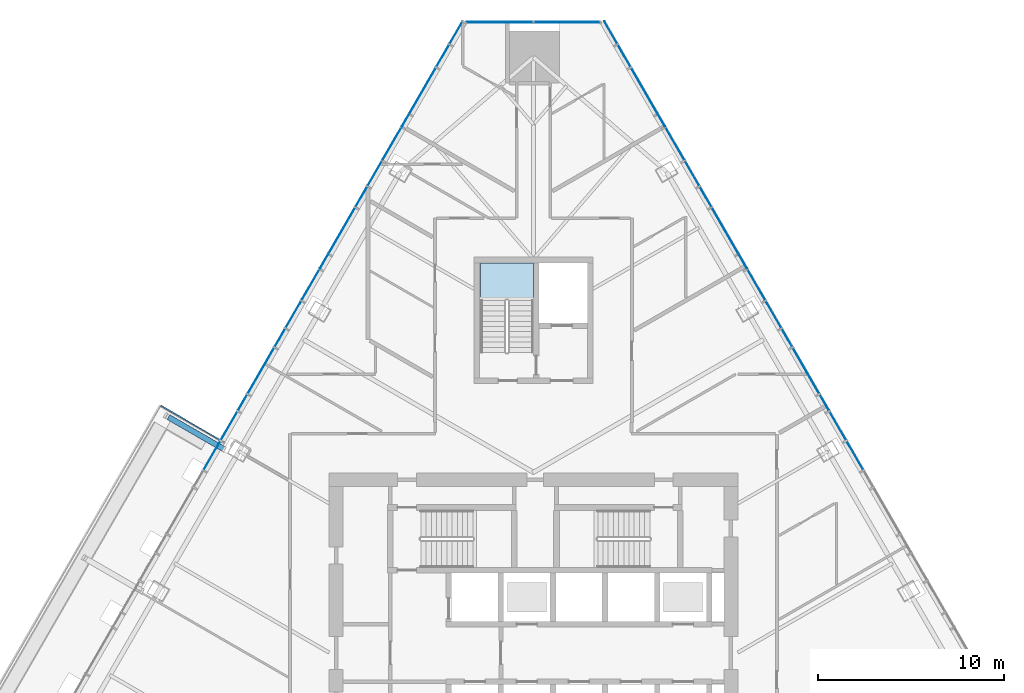
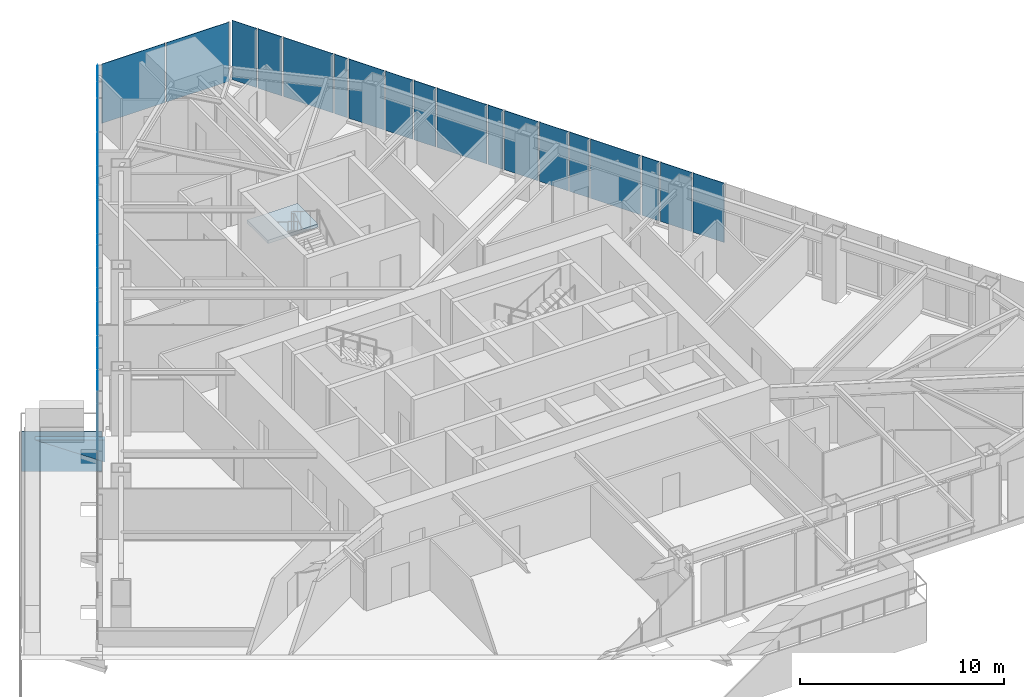
# One storey, part 14 of 23: 37 plates, 1 slab, 4 elements without a shape of their own.
"""IFC4 building model written with IfcOpenShell, lengths in metres."""

from ifc_helpers import new_model, si_unit, direction, frame, origin, place, context, subcontext, project, spatial, polyline, outline, extrude, material, layer, layer_set, type_object, element, aggregate, save


model = new_model("IFC4")

# Units and contexts
model_context = context("Model", 3, precision=1e-05, world=origin(), true_north=direction((0.0, 1.0)))
body_context = subcontext(model_context, "Body", "Model", "MODEL_VIEW")
ifc_project = project(units=[si_unit("LENGTHUNIT", "METRE"), si_unit("AREAUNIT", "SQUARE_METRE"), si_unit("VOLUMEUNIT", "CUBIC_METRE"), si_unit("PLANEANGLEUNIT", "RADIAN"), si_unit("MASSUNIT", "GRAM", prefix="KILO")], contexts=[model_context])

# Site, building, storey
site_placement = place(None, origin())
site = spatial("IfcSite", under=ifc_project, at=site_placement, CompositionType="ELEMENT")
building_placement = place(site_placement, origin())
building = spatial("IfcBuilding", under=site, at=building_placement, Name="Firuza Gate Tower and Library", CompositionType="ELEMENT")
storey_placement = place(building_placement, frame((0.0, 0.0, 190.89990234375)))
storey = spatial("IfcBuildingStorey", under=building, at=storey_placement, Name="L44", CompositionType="ELEMENT", Elevation=190.89990234375)

# Curtain wall, plates
ifc_material_1 = material(Name="Aluminium 6063-T6", Category="aluminium")
ifc_layer_1 = layer(ifc_material_1, 0.14990234375)
ifc_layer_set_1 = layer_set([ifc_layer_1], Name="Corner curtain wall, chamfers")
curtain_wall_type_1 = type_object("IfcCurtainWallType", Name="Corner curtain wall, chamfers", PredefinedType="NOTDEFINED", material=ifc_layer_set_1)
placement = place(storey_placement, origin())
curtain_wall_1 = element("IfcCurtainWall", 1, at=placement, inside=storey, type_object=curtain_wall_type_1, Name="CW4 L44 N corner", PredefinedType="NOTDEFINED")
ifc_material_2 = material(Name="Fritted glass", Category="glass")
ifc_layer_2 = layer(ifc_material_2, 0.030029296875)
ifc_layer_set_2 = layer_set([ifc_layer_2], Name="Fritted glass unit, corners")
plate_type_1 = type_object("IfcPlateType", Name="Fritted glass unit, corners", PredefinedType="CURTAIN_PANEL", material=ifc_layer_set_2)
plate_1_placement = place(storey_placement, frame((78.603271484375, 107.2568359375, 0.150146484375), z_axis=(0.0, 1.0, 0.0), x_axis=(-1.0, 0.0, 0.0)))
plate_1 = element("IfcPlate", 2, at=plate_1_placement, type_object=plate_type_1, Name="Glass unit", PredefinedType="CURTAIN_PANEL", context=body_context, shape_type="SweptSolid", body=[
    extrude(outline(polyline([(0.0, 0.0), (3.563232421875, 0.0), (3.563232421875, 3.550048828125), (0.0, 3.550048828125), (0.0, 0.0)])), origin(), (0.0, 0.0, -1.0), 0.030029296875),
])
plate_2_placement = place(storey_placement, frame((74.9599609375, 107.2568359375, 0.150146484375), z_axis=(0.0, 1.0, 0.0), x_axis=(-1.0, 0.0, 0.0)))
plate_2 = element("IfcPlate", 3, at=plate_2_placement, type_object=plate_type_1, Name="Glass unit", PredefinedType="CURTAIN_PANEL", context=body_context, shape_type="SweptSolid", body=[
    extrude(outline(polyline([(0.0, 0.0), (3.563232421875, 0.0), (3.563232421875, 3.550048828125), (0.0, 3.550048828125), (0.0, 0.0)])), origin(), (0.0, 0.0, -1.0), 0.030029296875),
])
aggregate(curtain_wall_1, [plate_1, plate_2])

ifc_material_3 = material(Name="Aluminium 6063-T6", Category="aluminium")
ifc_layer_3 = layer(ifc_material_3, 0.14990234375)
ifc_layer_set_3 = layer_set([ifc_layer_3], Name="Unitised curtain wall, hotel")
curtain_wall_type_2 = type_object("IfcCurtainWallType", Name="Unitised curtain wall, hotel", PredefinedType="NOTDEFINED", material=ifc_layer_set_3)
curtain_wall_2 = element("IfcCurtainWall", 4, at=placement, inside=storey, type_object=curtain_wall_type_2, Name="CW2 L44 E face", PredefinedType="NOTDEFINED")
ifc_material_4 = material(Name="Fritted glass", Category="glass")
ifc_layer_4 = layer(ifc_material_4, 0.030029296875)
ifc_layer_set_4 = layer_set([ifc_layer_4], Name="Fritted glass unit, hotel")
plate_type_2 = type_object("IfcPlateType", Name="Fritted glass unit, hotel", PredefinedType="CURTAIN_PANEL", material=ifc_layer_set_4)
plate_3_placement = place(storey_placement, frame((92.755615234375, 83.16845703125, 0.150146484375), z_axis=(0.866054209102, 0.499950104407, 0.0), x_axis=(-0.499950104407, 0.866054209102, 0.0)))
plate_3 = element("IfcPlate", 5, at=plate_3_placement, type_object=plate_type_2, Name="Glass unit", PredefinedType="CURTAIN_PANEL", context=body_context, shape_type="SweptSolid", body=[
    extrude(outline(polyline([(0.0, 0.0), (1.7638478914721194, 0.0), (1.7638478914721194, 3.550048828125001), (0.0, 3.550048828125001), (0.0, 0.0)])), origin(), (0.0, 0.0, -1.0), 0.030029296875),
])
plate_4_placement = place(storey_placement, frame((91.833740234375, 84.76513671875, 0.150146484375), z_axis=(0.866054209102, 0.499950104407, 0.0), x_axis=(-0.499950104407, 0.866054209102, 0.0)))
plate_4 = element("IfcPlate", 6, at=plate_4_placement, type_object=plate_type_2, Name="Glass unit", PredefinedType="CURTAIN_PANEL", context=body_context, shape_type="SweptSolid", body=[
    extrude(outline(polyline([(0.0, 0.0), (1.7638478914721194, 0.0), (1.7638478914721194, 3.550048828125001), (0.0, 3.550048828125001), (0.0, 0.0)])), origin(), (0.0, 0.0, -1.0), 0.030029296875),
])
plate_5_placement = place(storey_placement, frame((88.34375, 90.810302734375, 0.150146484375), z_axis=(0.86598972202, 0.500061797536, 0.0), x_axis=(-0.500061797536, 0.86598972202, 0.0)))
plate_5 = element("IfcPlate", 7, at=plate_5_placement, type_object=plate_type_2, Name="Glass unit", PredefinedType="CURTAIN_PANEL", context=body_context, shape_type="SweptSolid", body=[
    extrude(outline(polyline([(0.0, 0.0), (1.6399340309854518, 0.0), (1.6399340309854518, 3.550048828125), (0.0, 3.550048828125), (0.0, 0.0)])), origin(), (0.0, 0.0, -1.0), 0.030029296875),
])
plate_6_placement = place(storey_placement, frame((87.483642578125, 92.2998046875, 0.150146484375), z_axis=(0.866045570776, 0.499965068118, 0.0), x_axis=(-0.499965068118, 0.866045570776, 0.0)))
plate_6 = element("IfcPlate", 8, at=plate_6_placement, type_object=plate_type_2, Name="Glass unit", PredefinedType="CURTAIN_PANEL", context=body_context, shape_type="SweptSolid", body=[
    extrude(outline(polyline([(0.0, 0.0), (1.8873388878479969, 0.0), (1.8873388878479969, 3.550048828125), (0.0, 3.550048828125), (0.0, 0.0)])), origin(), (0.0, 0.0, -1.0), 0.030029296875),
])
plate_7_placement = place(storey_placement, frame((83.931884765625, 98.451904296875, 0.150146484375), z_axis=(0.865995223251, 0.500052270574, 0.0), x_axis=(-0.500052270574, 0.865995223251, 0.0)))
plate_7 = element("IfcPlate", 9, at=plate_7_placement, type_object=plate_type_2, Name="Glass unit", PredefinedType="CURTAIN_PANEL", context=body_context, shape_type="SweptSolid", body=[
    extrude(outline(polyline([(0.0, 0.0), (1.5164430318043731, 0.0), (1.5164430318043731, 3.550048828125), (0.0, 3.550048828125), (0.0, 0.0)])), origin(), (0.0, 0.0, -1.0), 0.030029296875),
])
plate_8_placement = place(storey_placement, frame((83.133544921875, 99.83447265625, 0.150146484375), z_axis=(0.866037993248, 0.499978193775, 0.0), x_axis=(-0.499978193775, 0.866037993248, 0.0)))
plate_8 = element("IfcPlate", 10, at=plate_8_placement, type_object=plate_type_2, Name="Glass unit", PredefinedType="CURTAIN_PANEL", context=body_context, shape_type="SweptSolid", body=[
    extrude(outline(polyline([(0.0, 0.0), (2.0108298847181034, 0.0), (2.0108298847181034, 3.550048828125), (0.0, 3.550048828125), (0.0, 0.0)])), origin(), (0.0, 0.0, -1.0), 0.030029296875),
])
plate_9_placement = place(storey_placement, frame((79.52001953125, 106.093505859375, 0.150146484375), z_axis=(0.866001699761, 0.500041054325, 0.0), x_axis=(-0.500041054325, 0.866001699761, 0.0)))
plate_9 = element("IfcPlate", 11, at=plate_9_placement, type_object=plate_type_2, Name="Glass unit", PredefinedType="CURTAIN_PANEL", context=body_context, shape_type="SweptSolid", body=[
    extrude(outline(polyline([(0.0, 0.0), (1.3929520328393656, 0.0), (1.3929520328393656, 3.550048828125), (0.0, 3.550048828125), (0.0, 0.0)])), origin(), (0.0, 0.0, -1.0), 0.030029296875),
])

curtain_wall_3 = element("IfcCurtainWall", 12, at=placement, inside=storey, type_object=curtain_wall_type_2, Name="CW2 L44 W face", PredefinedType="NOTDEFINED")
plate_10_placement = place(storey_placement, frame((71.176513671875, 107.2998046875, 0.150146484375), z_axis=(-0.866001699761, 0.500041054325, 0.0), x_axis=(-0.500041054325, -0.866001699761, 0.0)))
plate_10 = element("IfcPlate", 13, at=plate_10_placement, type_object=plate_type_2, Name="Glass unit", PredefinedType="CURTAIN_PANEL", context=body_context, shape_type="SweptSolid", body=[
    extrude(outline(polyline([(0.0, 0.0), (1.3929520328393656, 0.0), (1.3929520328393656, 3.550048828125), (0.0, 3.550048828125), (0.0, 0.0)])), origin(), (0.0, 0.0, -1.0), 0.030029296875),
])
plate_11_placement = place(storey_placement, frame((67.871826171875, 101.575927734375, 0.150146484375), z_axis=(-0.866037993248, 0.499978193775, 0.0), x_axis=(-0.499978193775, -0.866037993248, 0.0)))
plate_11 = element("IfcPlate", 14, at=plate_11_placement, type_object=plate_type_2, Name="Glass unit", PredefinedType="CURTAIN_PANEL", context=body_context, shape_type="SweptSolid", body=[
    extrude(outline(polyline([(0.0, 0.0), (2.0108298847181034, 0.0), (2.0108298847181034, 1.73486328125), (0.0, 1.73486328125), (0.0, 0.0)])), origin(), (0.0, 0.0, -1.0), 0.030029296875),
])
plate_12_placement = place(storey_placement, frame((68.2763671875, 102.276611328125, 1.965087890625), z_axis=(-0.866034203951, 0.499984757355, 0.0), x_axis=(-0.499984757355, -0.866034203951, 0.0)))
plate_12 = element("IfcPlate", 15, at=plate_12_placement, type_object=plate_type_2, Name="Glass unit", PredefinedType="CURTAIN_PANEL", context=body_context, shape_type="SweptSolid", body=[
    extrude(outline(polyline([(0.0, 0.0), (2.8199101845324175, 0.0), (2.8199101845324175, 1.735107421875), (0.0, 1.735107421875), (0.0, 0.0)])), origin(), (0.0, 0.0, -1.0), 0.030029296875),
])
plate_13_placement = place(storey_placement, frame((66.826416015625, 99.76513671875, 0.150146484375), z_axis=(-0.865995223251, 0.500052270574, 0.0), x_axis=(-0.500052270574, -0.865995223251, 0.0)))
plate_13 = element("IfcPlate", 16, at=plate_13_placement, type_object=plate_type_2, Name="Glass unit", PredefinedType="CURTAIN_PANEL", context=body_context, shape_type="SweptSolid", body=[
    extrude(outline(polyline([(0.0, 0.0), (1.5164430318043731, 0.0), (1.5164430318043731, 3.550048828125), (0.0, 3.550048828125), (0.0, 0.0)])), origin(), (0.0, 0.0, -1.0), 0.030029296875),
])
plate_14_placement = place(storey_placement, frame((63.4599609375, 93.934326171875, 0.150146484375), z_axis=(-0.866045570776, 0.499965068118, 0.0), x_axis=(-0.499965068118, -0.866045570776, 0.0)))
plate_14 = element("IfcPlate", 17, at=plate_14_placement, type_object=plate_type_2, Name="Glass unit", PredefinedType="CURTAIN_PANEL", context=body_context, shape_type="SweptSolid", body=[
    extrude(outline(polyline([(0.0, 0.0), (1.8873388878479969, 0.0), (1.8873388878479969, 3.550048828125), (0.0, 3.550048828125), (0.0, 0.0)])), origin(), (0.0, 0.0, -1.0), 0.030029296875),
])
plate_15_placement = place(storey_placement, frame((62.476318359375, 92.23046875, 0.150146484375), z_axis=(-0.86598972202, 0.500061797536, 0.0), x_axis=(-0.500061797536, -0.86598972202, 0.0)))
plate_15 = element("IfcPlate", 18, at=plate_15_placement, type_object=plate_type_2, Name="Glass unit", PredefinedType="CURTAIN_PANEL", context=body_context, shape_type="SweptSolid", body=[
    extrude(outline(polyline([(0.0, 0.0), (1.6399340309854518, 0.0), (1.6399340309854518, 3.550048828125), (0.0, 3.550048828125), (0.0, 0.0)])), origin(), (0.0, 0.0, -1.0), 0.030029296875),
])
plate_16_placement = place(storey_placement, frame((59.048095703125, 86.292724609375, 0.150146484375), z_axis=(-0.866054209102, 0.499950104407, 0.0), x_axis=(-0.499950104407, -0.866054209102, 0.0)))
plate_16 = element("IfcPlate", 19, at=plate_16_placement, type_object=plate_type_2, Name="Glass unit", PredefinedType="CURTAIN_PANEL", context=body_context, shape_type="SweptSolid", body=[
    extrude(outline(polyline([(0.0, 0.0), (1.7638478914721194, 0.0), (1.7638478914721194, 3.550048828125001), (0.0, 3.550048828125001), (0.0, 0.0)])), origin(), (0.0, 0.0, -1.0), 0.030029296875),
])
plate_17_placement = place(storey_placement, frame((58.126220703125, 84.696044921875, 0.150146484375), z_axis=(-0.866054209102, 0.499950104407, 0.0), x_axis=(-0.499950104407, -0.866054209102, 0.0)))
plate_17 = element("IfcPlate", 20, at=plate_17_placement, type_object=plate_type_2, Name="Glass unit", PredefinedType="CURTAIN_PANEL", context=body_context, shape_type="SweptSolid", body=[
    extrude(outline(polyline([(0.0, 0.0), (1.7638478914721194, 0.0), (1.7638478914721194, 3.550048828125001), (0.0, 3.550048828125001), (0.0, 0.0)])), origin(), (0.0, 0.0, -1.0), 0.030029296875),
])

# Plate
ifc_material_5 = material(Name="Glazed ceramic tile")
ifc_layer_5 = layer(ifc_material_5, 0.030029296875)
ifc_layer_set_5 = layer_set([ifc_layer_5], Name="Opaque ceramic panel, hotel")
plate_type_3 = type_object("IfcPlateType", Name="Opaque ceramic panel, hotel", PredefinedType="CURTAIN_PANEL", material=ifc_layer_set_5)
plate_18_placement = place(storey_placement, frame((90.912109375, 86.36181640625, 0.150146484375), z_axis=(0.866019052629, 0.500011000363, 0.0), x_axis=(-0.500011000363, 0.866019052629, 0.0)))
plate_18 = element("IfcPlate", 21, at=plate_18_placement, type_object=plate_type_3, Name="Opaque ceramic panel", PredefinedType="CURTAIN_PANEL", context=body_context, shape_type="SweptSolid", body=[
    extrude(outline(polyline([(0.0, 0.0), (0.9765410153886668, 0.0), (0.9765410153886668, 3.550048828125), (0.0, 3.550048828125), (0.0, 0.0)])), origin(), (0.0, 0.0, -1.0), 0.030029296875),
])

plate_19_placement = place(storey_placement, frame((90.3837890625, 87.27685546875, 0.150146484375), z_axis=(0.866034203951, 0.499984757355, 0.0), x_axis=(-0.499984757355, 0.866034203951, 0.0)))
plate_19 = element("IfcPlate", 22, at=plate_19_placement, type_object=plate_type_3, Name="Opaque ceramic panel", PredefinedType="CURTAIN_PANEL", context=body_context, shape_type="SweptSolid", body=[
    extrude(outline(polyline([(0.0, 0.0), (2.8199101845324175, 0.0), (2.8199101845324175, 3.550048828125001), (0.0, 3.550048828125001), (0.0, 0.0)])), origin(), (0.0, 0.0, -1.0), 0.030029296875),
])

plate_20_placement = place(storey_placement, frame((88.933837890625, 89.788330078125, 0.150146484375), z_axis=(0.866008176907, 0.50002983664, 0.0), x_axis=(-0.50002983664, 0.866008176907, 0.0)))
plate_20 = element("IfcPlate", 23, at=plate_20_placement, type_object=plate_type_3, Name="Opaque ceramic panel", PredefinedType="CURTAIN_PANEL", context=body_context, shape_type="SweptSolid", body=[
    extrude(outline(polyline([(0.0, 0.0), (1.1000320137307154, 0.0), (1.1000320137307154, 3.550048828125), (0.0, 3.550048828125), (0.0, 0.0)])), origin(), (0.0, 0.0, -1.0), 0.030029296875),
])

plate_21_placement = place(storey_placement, frame((86.5, 94.003662109375, 0.150146484375), z_axis=(0.866085471654, 0.499895944962, 0.0), x_axis=(-0.499895944962, 0.866085471654, 0.0)))
plate_21 = element("IfcPlate", 24, at=plate_21_placement, type_object=plate_type_3, Name="Opaque ceramic panel", PredefinedType="CURTAIN_PANEL", context=body_context, shape_type="SweptSolid", body=[
    extrude(outline(polyline([(0.0, 0.0), (0.8527165214008132, 0.0), (0.8527165214008132, 3.550048828125), (0.0, 3.550048828125), (0.0, 0.0)])), origin(), (0.0, 0.0, -1.0), 0.030029296875),
])

plate_22_placement = place(storey_placement, frame((86.03369140625, 94.811279296875, 0.150146484375), z_axis=(0.866055844559, 0.499947271324, 0.0), x_axis=(-0.499947271324, 0.866055844559, 0.0)))
plate_22 = element("IfcPlate", 25, at=plate_22_placement, type_object=plate_type_3, Name="Opaque ceramic panel", PredefinedType="CURTAIN_PANEL", context=body_context, shape_type="SweptSolid", body=[
    extrude(outline(polyline([(0.0, 0.0), (2.820121621306016, 0.0), (2.820121621306016, 3.550048828125), (0.0, 3.550048828125), (0.0, 0.0)])), origin(), (0.0, 0.0, -1.0), 0.030029296875),
])

plate_23_placement = place(storey_placement, frame((84.583740234375, 97.322998046875, 0.150146484375), z_axis=(0.865999496279, 0.500044870432, 0.0), x_axis=(-0.500044870432, 0.865999496279, 0.0)))
plate_23 = element("IfcPlate", 26, at=plate_23_placement, type_object=plate_type_3, Name="Opaque ceramic panel", PredefinedType="CURTAIN_PANEL", context=body_context, shape_type="SweptSolid", body=[
    extrude(outline(polyline([(0.0, 0.0), (1.2235230124881236, 0.0), (1.2235230124881236, 3.550048828125001), (0.0, 3.550048828125001), (0.0, 0.0)])), origin(), (0.0, 0.0, -1.0), 0.030029296875),
])

plate_24_placement = place(storey_placement, frame((82.088134765625, 101.645263671875, 0.150146484375), z_axis=(0.866029434536, 0.499993018469, 0.0), x_axis=(-0.499993018469, 0.866029434536, 0.0)))
plate_24 = element("IfcPlate", 27, at=plate_24_placement, type_object=plate_type_3, Name="Opaque ceramic panel", PredefinedType="CURTAIN_PANEL", context=body_context, shape_type="SweptSolid", body=[
    extrude(outline(polyline([(0.0, 0.0), (0.7290140855184541, 0.0), (0.7290140855184541, 3.550048828125), (0.0, 3.550048828125), (0.0, 0.0)])), origin(), (0.0, 0.0, -1.0), 0.030029296875),
])

plate_25_placement = place(storey_placement, frame((81.68359375, 102.345947265625, 0.150146484375), z_axis=(0.86601836006, 0.500012199891, 0.0), x_axis=(-0.500012199891, 0.86601836006, 0.0)))
plate_25 = element("IfcPlate", 28, at=plate_25_placement, type_object=plate_type_3, Name="Opaque ceramic panel", PredefinedType="CURTAIN_PANEL", context=body_context, shape_type="SweptSolid", body=[
    extrude(outline(polyline([(0.0, 0.0), (2.8202436866713265, 0.0), (2.8202436866713265, 3.550048828125), (0.0, 3.550048828125), (0.0, 0.0)])), origin(), (0.0, 0.0, -1.0), 0.030029296875),
])

plate_26_placement = place(storey_placement, frame((80.233642578125, 104.857421875, 0.150146484375), z_axis=(0.865959247497, 0.500114568548, 0.0), x_axis=(-0.500114568548, 0.865959247497, 0.0)))
plate_26 = element("IfcPlate", 29, at=plate_26_placement, type_object=plate_type_3, Name="Opaque ceramic panel", PredefinedType="CURTAIN_PANEL", context=body_context, shape_type="SweptSolid", body=[
    extrude(outline(polyline([(0.0, 0.0), (1.347347522700674, 0.0), (1.347347522700674, 3.550048828125), (0.0, 3.550048828125), (0.0, 0.0)])), origin(), (0.0, 0.0, -1.0), 0.030029296875),
])

aggregate(curtain_wall_2, [plate_3, plate_4, plate_18, plate_19, plate_20, plate_5, plate_6, plate_21, plate_22, plate_23, plate_7, plate_8, plate_24, plate_25, plate_26, plate_9])

plate_27_placement = place(storey_placement, frame((70.440185546875, 106.024169921875, 0.150146484375), z_axis=(-0.865959247497, 0.500114568548, 0.0), x_axis=(-0.500114568548, -0.865959247497, 0.0)))
plate_27 = element("IfcPlate", 30, at=plate_27_placement, type_object=plate_type_3, Name="Opaque ceramic panel", PredefinedType="CURTAIN_PANEL", context=body_context, shape_type="SweptSolid", body=[
    extrude(outline(polyline([(0.0, 0.0), (1.347347522700674, 0.0), (1.347347522700674, 3.550048828125), (0.0, 3.550048828125), (0.0, 0.0)])), origin(), (0.0, 0.0, -1.0), 0.030029296875),
])

plate_28_placement = place(storey_placement, frame((69.7265625, 104.788330078125, 0.150146484375), z_axis=(-0.86601836006, 0.500012199891, 0.0), x_axis=(-0.500012199891, -0.86601836006, 0.0)))
plate_28 = element("IfcPlate", 31, at=plate_28_placement, type_object=plate_type_3, Name="Opaque ceramic panel", PredefinedType="CURTAIN_PANEL", context=body_context, shape_type="SweptSolid", body=[
    extrude(outline(polyline([(0.0, 0.0), (2.8202436866713265, 0.0), (2.8202436866713265, 3.550048828125), (0.0, 3.550048828125), (0.0, 0.0)])), origin(), (0.0, 0.0, -1.0), 0.030029296875),
])

plate_29_placement = place(storey_placement, frame((68.2763671875, 102.276611328125, 0.150146484375), z_axis=(-0.866029434536, 0.499993018469, 0.0), x_axis=(-0.499993018469, -0.866029434536, 0.0)))
plate_29 = element("IfcPlate", 32, at=plate_29_placement, type_object=plate_type_3, Name="Opaque ceramic panel", PredefinedType="CURTAIN_PANEL", context=body_context, shape_type="SweptSolid", body=[
    extrude(outline(polyline([(0.0, 0.0), (0.7290140855184541, 0.0), (0.7290140855184541, 1.73486328125), (0.0, 1.73486328125), (0.0, 0.0)])), origin(), (0.0, 0.0, -1.0), 0.030029296875),
])

plate_30_placement = place(storey_placement, frame((66.028076171875, 98.382568359375, 0.150146484375), z_axis=(-0.865999496279, 0.500044870432, 0.0), x_axis=(-0.500044870432, -0.865999496279, 0.0)))
plate_30 = element("IfcPlate", 33, at=plate_30_placement, type_object=plate_type_3, Name="Opaque ceramic panel", PredefinedType="CURTAIN_PANEL", context=body_context, shape_type="SweptSolid", body=[
    extrude(outline(polyline([(0.0, 0.0), (1.2235230124881236, 0.0), (1.2235230124881236, 3.550048828125001), (0.0, 3.550048828125001), (0.0, 0.0)])), origin(), (0.0, 0.0, -1.0), 0.030029296875),
])

plate_31_placement = place(storey_placement, frame((65.376220703125, 97.253662109375, 0.150146484375), z_axis=(-0.866055844559, 0.499947271324, 0.0), x_axis=(-0.499947271324, -0.866055844559, 0.0)))
plate_31 = element("IfcPlate", 34, at=plate_31_placement, type_object=plate_type_3, Name="Opaque ceramic panel", PredefinedType="CURTAIN_PANEL", context=body_context, shape_type="SweptSolid", body=[
    extrude(outline(polyline([(0.0, 0.0), (2.820121621306016, 0.0), (2.820121621306016, 3.550048828125), (0.0, 3.550048828125), (0.0, 0.0)])), origin(), (0.0, 0.0, -1.0), 0.030029296875),
])

plate_32_placement = place(storey_placement, frame((63.92626953125, 94.7421875, 0.150146484375), z_axis=(-0.866085471654, 0.499895944962, 0.0), x_axis=(-0.499895944962, -0.866085471654, 0.0)))
plate_32 = element("IfcPlate", 35, at=plate_32_placement, type_object=plate_type_3, Name="Opaque ceramic panel", PredefinedType="CURTAIN_PANEL", context=body_context, shape_type="SweptSolid", body=[
    extrude(outline(polyline([(0.0, 0.0), (0.8527165214008132, 0.0), (0.8527165214008132, 3.550048828125), (0.0, 3.550048828125), (0.0, 0.0)])), origin(), (0.0, 0.0, -1.0), 0.030029296875),
])

plate_33_placement = place(storey_placement, frame((61.6162109375, 90.740966796875, 0.150146484375), z_axis=(-0.866008176907, 0.50002983664, 0.0), x_axis=(-0.50002983664, -0.866008176907, 0.0)))
plate_33 = element("IfcPlate", 36, at=plate_33_placement, type_object=plate_type_3, Name="Opaque ceramic panel", PredefinedType="CURTAIN_PANEL", context=body_context, shape_type="SweptSolid", body=[
    extrude(outline(polyline([(0.0, 0.0), (1.1000320137307154, 0.0), (1.1000320137307154, 3.550048828125), (0.0, 3.550048828125), (0.0, 0.0)])), origin(), (0.0, 0.0, -1.0), 0.030029296875),
])

plate_34_placement = place(storey_placement, frame((61.026123046875, 89.718994140625, 0.150146484375), z_axis=(-0.866034203951, 0.499984757355, 0.0), x_axis=(-0.499984757355, -0.866034203951, 0.0)))
plate_34 = element("IfcPlate", 37, at=plate_34_placement, type_object=plate_type_3, Name="Opaque ceramic panel", PredefinedType="CURTAIN_PANEL", context=body_context, shape_type="SweptSolid", body=[
    extrude(outline(polyline([(0.0, 0.0), (2.8199101845324175, 0.0), (2.8199101845324175, 3.550048828125001), (0.0, 3.550048828125001), (0.0, 0.0)])), origin(), (0.0, 0.0, -1.0), 0.030029296875),
])

plate_35_placement = place(storey_placement, frame((59.576171875, 87.20751953125, 0.150146484375), z_axis=(-0.866019052629, 0.500011000363, 0.0), x_axis=(-0.500011000363, -0.866019052629, 0.0)))
plate_35 = element("IfcPlate", 38, at=plate_35_placement, type_object=plate_type_3, Name="Opaque ceramic panel", PredefinedType="CURTAIN_PANEL", context=body_context, shape_type="SweptSolid", body=[
    extrude(outline(polyline([(0.0, 0.0), (0.9765410153886668, 0.0), (0.9765410153886668, 3.550048828125), (0.0, 3.550048828125), (0.0, 0.0)])), origin(), (0.0, 0.0, -1.0), 0.030029296875),
])

aggregate(curtain_wall_3, [plate_10, plate_27, plate_28, plate_29, plate_11, plate_12, plate_13, plate_30, plate_31, plate_32, plate_14, plate_15, plate_33, plate_34, plate_35, plate_16, plate_17])

# Stair, slab
ifc_material_6 = material(Name="Concrete C35/45", Category="concrete")
stair_type = type_object("IfcStairType", Name="Exit stair ST16", PredefinedType="HALF_TURN_STAIR", material=ifc_material_6)
stair = element("IfcStair", 39, at=placement, inside=storey, type_object=stair_type, Name="L44 Stair ST3", PredefinedType="HALF_TURN_STAIR")
ifc_material_7 = material(Name="Concrete C35/45", Category="concrete")
ifc_layer_6 = layer(ifc_material_7, 0.199951171875)
ifc_layer_set_6 = layer_set([ifc_layer_6], Name="Stair landing 200")
slab_type = type_object("IfcSlabType", Name="Stair landing 200", PredefinedType="LANDING", material=ifc_layer_set_6)
slab_placement = place(storey_placement, frame((0.0, 0.0, 1.75)))
slab = element("IfcSlab", 40, at=slab_placement, type_object=slab_type, Name="ST3 landing 1", PredefinedType="LANDING", context=body_context, shape_type="SweptSolid", body=[
    extrude(outline(polyline([(75.0, 92.27001953125), (75.0, 94.300048828125), (72.159912109375, 94.300048828125), (72.159912109375, 92.27001953125), (75.0, 92.27001953125)])), origin(), (0.0, 0.0, 1.0), 0.2001953125),
])
aggregate(stair, [slab])

# Plates
ifc_material_8 = material(Name="Steel S355", Category="steel")
ifc_layer_7 = layer(ifc_material_8, 0.300048828125)
ifc_layer_set_7 = layer_set([ifc_layer_7], Name="Tray bracket web 300 Steel S355")
plate_type_4 = type_object("IfcPlateType", Name="Tray bracket web 300 Steel S355", PredefinedType="SHEET", material=ifc_layer_set_7)
plate_36_placement = place(storey_placement, frame((58.2548828125, 84.14794921875, -0.199951171875), z_axis=(-0.500081895979, -0.865978115955, 0.0), x_axis=(-0.865978115955, 0.500081895979, 0.0)))
element("IfcPlate", 41, at=plate_36_placement, inside=storey, type_object=plate_type_4, Name="Tray bracket web L44 col:L43:W3", PredefinedType="SHEET", context=body_context, shape_type="SweptSolid", body=[
    extrude(outline(polyline([(0.0, 0.0), (3.429614038049955, 0.0), (0.0, 1.333984375), (0.0, 0.0)])), origin(), (0.0, 0.0, -1.0), 0.300048828125),
])
ifc_material_9 = material(Name="Aluminium 6063-T6", Category="aluminium")
ifc_layer_8 = layer(ifc_material_9, 0.050048828125)
ifc_layer_set_8 = layer_set([ifc_layer_8], Name="Tray fascia panel 50")
plate_type_5 = type_object("IfcPlateType", Name="Tray fascia panel 50", PredefinedType="SHEET", material=ifc_layer_set_8)
plate_37_placement = place(storey_placement, frame((58.3701171875, 84.658935546875, -2.39990234375), z_axis=(0.49999779889, 0.866026674592, 0.0), x_axis=(-0.866026674592, 0.49999779889, 0.0)))
element("IfcPlate", 42, at=plate_37_placement, inside=storey, type_object=plate_type_5, Name="Tray fascia L44 8", PredefinedType="SHEET", context=body_context, shape_type="SweptSolid", body=[
    extrude(outline(polyline([(0.0, 0.0), (3.9399587508162695, 0.0), (3.9399587508162695, 2.39990234375), (0.0, 2.39990234375), (0.0, 0.0)])), origin(), (0.0, 0.0, -1.0), 0.050048828125),
])

save(model, "model.ifc")
